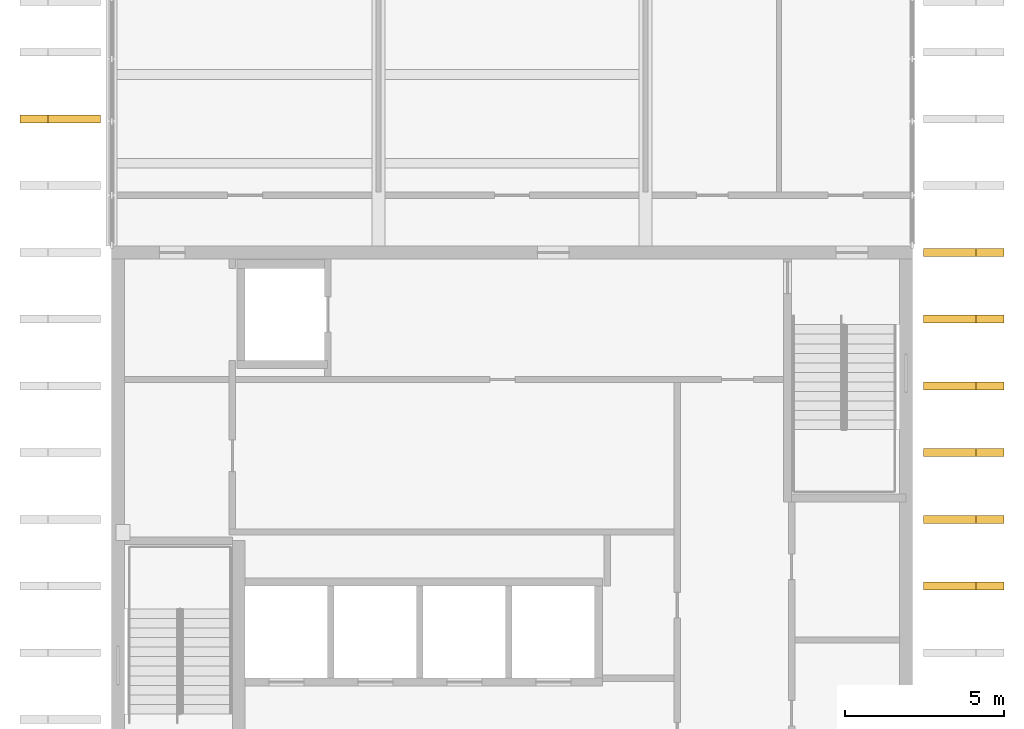
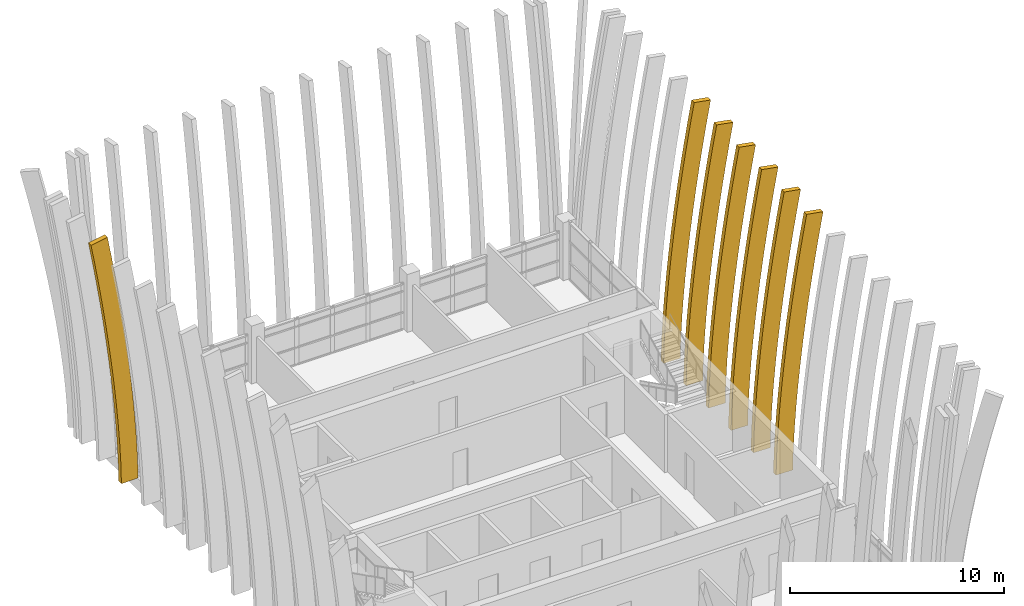
# One storey, part 14 of 19: 7 shading devices.
"""IFC4 building model written with IfcOpenShell, lengths in metres."""

from ifc_helpers import new_model, si_unit, direction, frame, origin, origin_2d, place, context, subcontext, project, spatial, rectangle, faceted_brep, material, material_profile, profile_set, type_object, element, save


model = new_model("IFC4")

# Units and contexts
model_context = context("Model", 3, precision=1e-05, world=origin(), true_north=direction((0.0, 1.0)))
body_context = subcontext(model_context, "Body", "Model", "MODEL_VIEW")
ifc_project = project(units=[si_unit("LENGTHUNIT", "METRE"), si_unit("AREAUNIT", "SQUARE_METRE"), si_unit("VOLUMEUNIT", "CUBIC_METRE"), si_unit("PLANEANGLEUNIT", "RADIAN"), si_unit("MASSUNIT", "GRAM", prefix="KILO")], contexts=[model_context])

# Site, building, storey
site_placement = place(None, origin())
site = spatial("IfcSite", under=ifc_project, at=site_placement, CompositionType="ELEMENT")
building_placement = place(site_placement, origin())
building = spatial("IfcBuilding", under=site, at=building_placement, Name="Rulbaag Community and Learning Centre", CompositionType="ELEMENT")
storey_placement = place(building_placement, frame((0.0, 0.0, 57.60009765625)))
storey = spatial("IfcBuildingStorey", under=building, at=storey_placement, Name="L15", CompositionType="ELEMENT", Elevation=57.60009765625)

# Shading devices
ifc_material = material(Name="Concrete M40", Category="concrete")
ifc_material_profile = material_profile(ifc_material, rectangle(XDim=0.25, YDim=0.89990234375, at=origin_2d()), Name="PC 250x900")
ifc_profile_set = profile_set([ifc_material_profile], Name="Concrete M40")
shading_device_type = type_object("IfcShadingDeviceType", Name="FIN-H", PredefinedType="JALOUSIE", material=ifc_profile_set)
shading_device_1_placement = place(storey_placement, frame((0.0, 0.0, -57.60009765625)))
element("IfcShadingDevice", 1, at=shading_device_1_placement, inside=storey, type_object=shading_device_type, Name="Precast crown fin", PredefinedType="JALOUSIE", context=body_context, shape_type="Brep", body=[
    faceted_brep([(141.550048828125, 113.27490234375, 57.587646484375), (141.550048828125, 113.52490234375, 57.587646484375), (142.449951171875, 113.52490234375, 57.611083984375), (142.449951171875, 113.27490234375, 57.611083984375), (140.80029296875, 113.27490234375, 71.898193359375), (140.80029296875, 113.52490234375, 71.898193359375), (139.91455078125, 113.52490234375, 71.738525390625), (139.91455078125, 113.27490234375, 71.738525390625), (142.419189453125, 113.52490234375, 58.790771484375), (142.419189453125, 113.27490234375, 58.790771484375), (141.519775390625, 113.52490234375, 58.755126953125), (141.519775390625, 113.27490234375, 58.755126953125), (142.356201171875, 113.52490234375, 59.983154296875), (142.356201171875, 113.27490234375, 59.983154296875), (141.457763671875, 113.52490234375, 59.927001953125), (141.457763671875, 113.27490234375, 59.927001953125), (142.2705078125, 113.52490234375, 61.1748046875), (142.2705078125, 113.27490234375, 61.1748046875), (141.37353515625, 113.52490234375, 61.10302734375), (141.37353515625, 113.27490234375, 61.10302734375), (142.16552734375, 113.52490234375, 62.36669921875), (142.16552734375, 113.27490234375, 62.36669921875), (141.26953125, 113.52490234375, 62.28125), (141.26953125, 113.27490234375, 62.28125), (142.04345703125, 113.52490234375, 63.558349609375), (142.04345703125, 113.27490234375, 63.558349609375), (141.14892578125, 113.52490234375, 63.460693359375), (141.14892578125, 113.27490234375, 63.460693359375), (141.90576171875, 113.52490234375, 64.75), (141.90576171875, 113.27490234375, 64.75), (141.01220703125, 113.52490234375, 64.64111328125), (141.01220703125, 113.27490234375, 64.64111328125), (141.75341796875, 113.52490234375, 65.941650390625), (141.75341796875, 113.27490234375, 65.941650390625), (140.861328125, 113.52490234375, 65.822509765625), (140.861328125, 113.27490234375, 65.822509765625), (141.58740234375, 113.52490234375, 67.13330078125), (141.58740234375, 113.27490234375, 67.13330078125), (140.69677734375, 113.52490234375, 67.00439453125), (140.69677734375, 113.27490234375, 67.00439453125), (141.40869140625, 113.52490234375, 68.324951171875), (141.40869140625, 113.27490234375, 68.324951171875), (140.51953125, 113.52490234375, 68.186767578125), (140.51953125, 113.27490234375, 68.186767578125), (141.21728515625, 113.52490234375, 69.5166015625), (141.21728515625, 113.27490234375, 69.5166015625), (140.32958984375, 113.52490234375, 69.36962890625), (140.32958984375, 113.27490234375, 69.36962890625), (141.0146484375, 113.52490234375, 70.708251953125), (141.0146484375, 113.27490234375, 70.708251953125), (140.1279296875, 113.52490234375, 70.552978515625), (140.1279296875, 113.27490234375, 70.552978515625)], [[[0, 1, 2, 3]], [[4, 5, 6, 7]], [[3, 2, 8, 9]], [[2, 1, 10, 8]], [[1, 0, 11, 10]], [[0, 3, 9, 11]], [[9, 8, 12, 13]], [[8, 10, 14, 12]], [[10, 11, 15, 14]], [[11, 9, 13, 15]], [[13, 12, 16, 17]], [[12, 14, 18, 16]], [[14, 15, 19, 18]], [[15, 13, 17, 19]], [[17, 16, 20, 21]], [[16, 18, 22, 20]], [[18, 19, 23, 22]], [[19, 17, 21, 23]], [[21, 20, 24, 25]], [[20, 22, 26, 24]], [[22, 23, 27, 26]], [[23, 21, 25, 27]], [[25, 24, 28, 29]], [[24, 26, 30, 28]], [[26, 27, 31, 30]], [[27, 25, 29, 31]], [[29, 28, 32, 33]], [[28, 30, 34, 32]], [[30, 31, 35, 34]], [[31, 29, 33, 35]], [[33, 32, 36, 37]], [[32, 34, 38, 36]], [[34, 35, 39, 38]], [[35, 33, 37, 39]], [[37, 36, 40, 41]], [[36, 38, 42, 40]], [[38, 39, 43, 42]], [[39, 37, 41, 43]], [[41, 40, 44, 45]], [[40, 42, 46, 44]], [[42, 43, 47, 46]], [[43, 41, 45, 47]], [[45, 44, 48, 49]], [[44, 46, 50, 48]], [[46, 47, 51, 50]], [[47, 45, 49, 51]], [[49, 48, 5, 4]], [[48, 50, 6, 5]], [[50, 51, 7, 6]], [[51, 49, 4, 7]]]),
])
shading_device_2_placement = place(storey_placement, frame((0.0, 0.0, -57.60009765625)))
element("IfcShadingDevice", 2, at=shading_device_2_placement, inside=storey, type_object=shading_device_type, Name="Precast crown fin", PredefinedType="JALOUSIE", context=body_context, shape_type="Brep", body=[
    faceted_brep([(169.25, 98.574951171875, 57.587646484375), (169.25, 98.824951171875, 57.587646484375), (168.35009765625, 98.824951171875, 57.611083984375), (168.35009765625, 98.574951171875, 57.611083984375), (169.99951171875, 98.574951171875, 71.89794921875), (169.99951171875, 98.824951171875, 71.89794921875), (170.88525390625, 98.824951171875, 71.73876953125), (170.88525390625, 98.574951171875, 71.73876953125), (168.380859375, 98.824951171875, 58.790771484375), (168.380859375, 98.574951171875, 58.790771484375), (169.2802734375, 98.824951171875, 58.755126953125), (169.2802734375, 98.574951171875, 58.755126953125), (168.44384765625, 98.824951171875, 59.983154296875), (168.44384765625, 98.574951171875, 59.983154296875), (169.34228515625, 98.824951171875, 59.927001953125), (169.34228515625, 98.574951171875, 59.927001953125), (168.529541015625, 98.824951171875, 61.1748046875), (168.529541015625, 98.574951171875, 61.1748046875), (169.426513671875, 98.824951171875, 61.10302734375), (169.426513671875, 98.574951171875, 61.10302734375), (168.634521484375, 98.824951171875, 62.36669921875), (168.634521484375, 98.574951171875, 62.36669921875), (169.530517578125, 98.824951171875, 62.28125), (169.530517578125, 98.574951171875, 62.28125), (168.756591796875, 98.824951171875, 63.558349609375), (168.756591796875, 98.574951171875, 63.558349609375), (169.651123046875, 98.824951171875, 63.460693359375), (169.651123046875, 98.574951171875, 63.460693359375), (168.894287109375, 98.824951171875, 64.75), (168.894287109375, 98.574951171875, 64.75), (169.787841796875, 98.824951171875, 64.64111328125), (169.787841796875, 98.574951171875, 64.64111328125), (169.046630859375, 98.824951171875, 65.941650390625), (169.046630859375, 98.574951171875, 65.941650390625), (169.938720703125, 98.824951171875, 65.822509765625), (169.938720703125, 98.574951171875, 65.822509765625), (169.21240234375, 98.824951171875, 67.13330078125), (169.21240234375, 98.574951171875, 67.13330078125), (170.10302734375, 98.824951171875, 67.00439453125), (170.10302734375, 98.574951171875, 67.00439453125), (169.391357421875, 98.824951171875, 68.324951171875), (169.391357421875, 98.574951171875, 68.324951171875), (170.280517578125, 98.824951171875, 68.186767578125), (170.280517578125, 98.574951171875, 68.186767578125), (169.582763671875, 98.824951171875, 69.5166015625), (169.582763671875, 98.574951171875, 69.5166015625), (170.470458984375, 98.824951171875, 69.36962890625), (170.470458984375, 98.574951171875, 69.36962890625), (169.785400390625, 98.824951171875, 70.708251953125), (169.785400390625, 98.574951171875, 70.708251953125), (170.672119140625, 98.824951171875, 70.552978515625), (170.672119140625, 98.574951171875, 70.552978515625)], [[[0, 1, 2, 3]], [[4, 5, 6, 7]], [[3, 2, 8, 9]], [[2, 1, 10, 8]], [[1, 0, 11, 10]], [[0, 3, 9, 11]], [[9, 8, 12, 13]], [[8, 10, 14, 12]], [[10, 11, 15, 14]], [[11, 9, 13, 15]], [[13, 12, 16, 17]], [[12, 14, 18, 16]], [[14, 15, 19, 18]], [[15, 13, 17, 19]], [[17, 16, 20, 21]], [[16, 18, 22, 20]], [[18, 19, 23, 22]], [[19, 17, 21, 23]], [[21, 20, 24, 25]], [[20, 22, 26, 24]], [[22, 23, 27, 26]], [[23, 21, 25, 27]], [[25, 24, 28, 29]], [[24, 26, 30, 28]], [[26, 27, 31, 30]], [[27, 25, 29, 31]], [[29, 28, 32, 33]], [[28, 30, 34, 32]], [[30, 31, 35, 34]], [[31, 29, 33, 35]], [[33, 32, 36, 37]], [[32, 34, 38, 36]], [[34, 35, 39, 38]], [[35, 33, 37, 39]], [[37, 36, 40, 41]], [[36, 38, 42, 40]], [[38, 39, 43, 42]], [[39, 37, 41, 43]], [[41, 40, 44, 45]], [[40, 42, 46, 44]], [[42, 43, 47, 46]], [[43, 41, 45, 47]], [[45, 44, 48, 49]], [[44, 46, 50, 48]], [[46, 47, 51, 50]], [[47, 45, 49, 51]], [[49, 48, 5, 4]], [[48, 50, 6, 5]], [[50, 51, 7, 6]], [[51, 49, 4, 7]]]),
])
shading_device_3_placement = place(storey_placement, frame((0.0, 0.0, -57.60009765625)))
element("IfcShadingDevice", 3, at=shading_device_3_placement, inside=storey, type_object=shading_device_type, Name="Precast crown fin", PredefinedType="JALOUSIE", context=body_context, shape_type="Brep", body=[
    faceted_brep([(169.25, 100.675048828125, 57.587646484375), (169.25, 100.925048828125, 57.587646484375), (168.35009765625, 100.925048828125, 57.611083984375), (168.35009765625, 100.675048828125, 57.611083984375), (169.99951171875, 100.675048828125, 71.89794921875), (169.99951171875, 100.925048828125, 71.89794921875), (170.88525390625, 100.925048828125, 71.73876953125), (170.88525390625, 100.675048828125, 71.73876953125), (168.380859375, 100.925048828125, 58.790771484375), (168.380859375, 100.675048828125, 58.790771484375), (169.2802734375, 100.925048828125, 58.755126953125), (169.2802734375, 100.675048828125, 58.755126953125), (168.44384765625, 100.925048828125, 59.983154296875), (168.44384765625, 100.675048828125, 59.983154296875), (169.34228515625, 100.925048828125, 59.927001953125), (169.34228515625, 100.675048828125, 59.927001953125), (168.529541015625, 100.925048828125, 61.1748046875), (168.529541015625, 100.675048828125, 61.1748046875), (169.426513671875, 100.925048828125, 61.10302734375), (169.426513671875, 100.675048828125, 61.10302734375), (168.634521484375, 100.925048828125, 62.36669921875), (168.634521484375, 100.675048828125, 62.36669921875), (169.530517578125, 100.925048828125, 62.28125), (169.530517578125, 100.675048828125, 62.28125), (168.756591796875, 100.925048828125, 63.558349609375), (168.756591796875, 100.675048828125, 63.558349609375), (169.651123046875, 100.925048828125, 63.460693359375), (169.651123046875, 100.675048828125, 63.460693359375), (168.894287109375, 100.925048828125, 64.75), (168.894287109375, 100.675048828125, 64.75), (169.787841796875, 100.925048828125, 64.64111328125), (169.787841796875, 100.675048828125, 64.64111328125), (169.046630859375, 100.925048828125, 65.941650390625), (169.046630859375, 100.675048828125, 65.941650390625), (169.938720703125, 100.925048828125, 65.822509765625), (169.938720703125, 100.675048828125, 65.822509765625), (169.21240234375, 100.925048828125, 67.13330078125), (169.21240234375, 100.675048828125, 67.13330078125), (170.10302734375, 100.925048828125, 67.00439453125), (170.10302734375, 100.675048828125, 67.00439453125), (169.391357421875, 100.925048828125, 68.324951171875), (169.391357421875, 100.675048828125, 68.324951171875), (170.280517578125, 100.925048828125, 68.186767578125), (170.280517578125, 100.675048828125, 68.186767578125), (169.582763671875, 100.925048828125, 69.5166015625), (169.582763671875, 100.675048828125, 69.5166015625), (170.470458984375, 100.925048828125, 69.36962890625), (170.470458984375, 100.675048828125, 69.36962890625), (169.785400390625, 100.925048828125, 70.708251953125), (169.785400390625, 100.675048828125, 70.708251953125), (170.672119140625, 100.925048828125, 70.552978515625), (170.672119140625, 100.675048828125, 70.552978515625)], [[[0, 1, 2, 3]], [[4, 5, 6, 7]], [[3, 2, 8, 9]], [[2, 1, 10, 8]], [[1, 0, 11, 10]], [[0, 3, 9, 11]], [[9, 8, 12, 13]], [[8, 10, 14, 12]], [[10, 11, 15, 14]], [[11, 9, 13, 15]], [[13, 12, 16, 17]], [[12, 14, 18, 16]], [[14, 15, 19, 18]], [[15, 13, 17, 19]], [[17, 16, 20, 21]], [[16, 18, 22, 20]], [[18, 19, 23, 22]], [[19, 17, 21, 23]], [[21, 20, 24, 25]], [[20, 22, 26, 24]], [[22, 23, 27, 26]], [[23, 21, 25, 27]], [[25, 24, 28, 29]], [[24, 26, 30, 28]], [[26, 27, 31, 30]], [[27, 25, 29, 31]], [[29, 28, 32, 33]], [[28, 30, 34, 32]], [[30, 31, 35, 34]], [[31, 29, 33, 35]], [[33, 32, 36, 37]], [[32, 34, 38, 36]], [[34, 35, 39, 38]], [[35, 33, 37, 39]], [[37, 36, 40, 41]], [[36, 38, 42, 40]], [[38, 39, 43, 42]], [[39, 37, 41, 43]], [[41, 40, 44, 45]], [[40, 42, 46, 44]], [[42, 43, 47, 46]], [[43, 41, 45, 47]], [[45, 44, 48, 49]], [[44, 46, 50, 48]], [[46, 47, 51, 50]], [[47, 45, 49, 51]], [[49, 48, 5, 4]], [[48, 50, 6, 5]], [[50, 51, 7, 6]], [[51, 49, 4, 7]]]),
])
shading_device_4_placement = place(storey_placement, frame((0.0, 0.0, -57.60009765625)))
element("IfcShadingDevice", 4, at=shading_device_4_placement, inside=storey, type_object=shading_device_type, Name="Precast crown fin", PredefinedType="JALOUSIE", context=body_context, shape_type="Brep", body=[
    faceted_brep([(169.25, 102.77490234375, 57.587646484375), (169.25, 103.02490234375, 57.587646484375), (168.35009765625, 103.02490234375, 57.611083984375), (168.35009765625, 102.77490234375, 57.611083984375), (169.99951171875, 102.77490234375, 71.89794921875), (169.99951171875, 103.02490234375, 71.89794921875), (170.88525390625, 103.02490234375, 71.73876953125), (170.88525390625, 102.77490234375, 71.73876953125), (168.380859375, 103.02490234375, 58.790771484375), (168.380859375, 102.77490234375, 58.790771484375), (169.2802734375, 103.02490234375, 58.755126953125), (169.2802734375, 102.77490234375, 58.755126953125), (168.44384765625, 103.02490234375, 59.983154296875), (168.44384765625, 102.77490234375, 59.983154296875), (169.34228515625, 103.02490234375, 59.927001953125), (169.34228515625, 102.77490234375, 59.927001953125), (168.529541015625, 103.02490234375, 61.1748046875), (168.529541015625, 102.77490234375, 61.1748046875), (169.426513671875, 103.02490234375, 61.10302734375), (169.426513671875, 102.77490234375, 61.10302734375), (168.634521484375, 103.02490234375, 62.36669921875), (168.634521484375, 102.77490234375, 62.36669921875), (169.530517578125, 103.02490234375, 62.28125), (169.530517578125, 102.77490234375, 62.28125), (168.756591796875, 103.02490234375, 63.558349609375), (168.756591796875, 102.77490234375, 63.558349609375), (169.651123046875, 103.02490234375, 63.460693359375), (169.651123046875, 102.77490234375, 63.460693359375), (168.894287109375, 103.02490234375, 64.75), (168.894287109375, 102.77490234375, 64.75), (169.787841796875, 103.02490234375, 64.64111328125), (169.787841796875, 102.77490234375, 64.64111328125), (169.046630859375, 103.02490234375, 65.941650390625), (169.046630859375, 102.77490234375, 65.941650390625), (169.938720703125, 103.02490234375, 65.822509765625), (169.938720703125, 102.77490234375, 65.822509765625), (169.21240234375, 103.02490234375, 67.13330078125), (169.21240234375, 102.77490234375, 67.13330078125), (170.10302734375, 103.02490234375, 67.00439453125), (170.10302734375, 102.77490234375, 67.00439453125), (169.391357421875, 103.02490234375, 68.324951171875), (169.391357421875, 102.77490234375, 68.324951171875), (170.280517578125, 103.02490234375, 68.186767578125), (170.280517578125, 102.77490234375, 68.186767578125), (169.582763671875, 103.02490234375, 69.5166015625), (169.582763671875, 102.77490234375, 69.5166015625), (170.470458984375, 103.02490234375, 69.36962890625), (170.470458984375, 102.77490234375, 69.36962890625), (169.785400390625, 103.02490234375, 70.708251953125), (169.785400390625, 102.77490234375, 70.708251953125), (170.672119140625, 103.02490234375, 70.552978515625), (170.672119140625, 102.77490234375, 70.552978515625)], [[[0, 1, 2, 3]], [[4, 5, 6, 7]], [[3, 2, 8, 9]], [[2, 1, 10, 8]], [[1, 0, 11, 10]], [[0, 3, 9, 11]], [[9, 8, 12, 13]], [[8, 10, 14, 12]], [[10, 11, 15, 14]], [[11, 9, 13, 15]], [[13, 12, 16, 17]], [[12, 14, 18, 16]], [[14, 15, 19, 18]], [[15, 13, 17, 19]], [[17, 16, 20, 21]], [[16, 18, 22, 20]], [[18, 19, 23, 22]], [[19, 17, 21, 23]], [[21, 20, 24, 25]], [[20, 22, 26, 24]], [[22, 23, 27, 26]], [[23, 21, 25, 27]], [[25, 24, 28, 29]], [[24, 26, 30, 28]], [[26, 27, 31, 30]], [[27, 25, 29, 31]], [[29, 28, 32, 33]], [[28, 30, 34, 32]], [[30, 31, 35, 34]], [[31, 29, 33, 35]], [[33, 32, 36, 37]], [[32, 34, 38, 36]], [[34, 35, 39, 38]], [[35, 33, 37, 39]], [[37, 36, 40, 41]], [[36, 38, 42, 40]], [[38, 39, 43, 42]], [[39, 37, 41, 43]], [[41, 40, 44, 45]], [[40, 42, 46, 44]], [[42, 43, 47, 46]], [[43, 41, 45, 47]], [[45, 44, 48, 49]], [[44, 46, 50, 48]], [[46, 47, 51, 50]], [[47, 45, 49, 51]], [[49, 48, 5, 4]], [[48, 50, 6, 5]], [[50, 51, 7, 6]], [[51, 49, 4, 7]]]),
])
shading_device_5_placement = place(storey_placement, frame((0.0, 0.0, -57.60009765625)))
element("IfcShadingDevice", 5, at=shading_device_5_placement, inside=storey, type_object=shading_device_type, Name="Precast crown fin", PredefinedType="JALOUSIE", context=body_context, shape_type="Brep", body=[
    faceted_brep([(169.25, 104.875, 57.587646484375), (169.25, 105.125, 57.587646484375), (168.35009765625, 105.125, 57.611083984375), (168.35009765625, 104.875, 57.611083984375), (169.99951171875, 104.875, 71.89794921875), (169.99951171875, 105.125, 71.89794921875), (170.88525390625, 105.125, 71.73876953125), (170.88525390625, 104.875, 71.73876953125), (168.380859375, 105.125, 58.790771484375), (168.380859375, 104.875, 58.790771484375), (169.2802734375, 105.125, 58.755126953125), (169.2802734375, 104.875, 58.755126953125), (168.44384765625, 105.125, 59.983154296875), (168.44384765625, 104.875, 59.983154296875), (169.34228515625, 105.125, 59.927001953125), (169.34228515625, 104.875, 59.927001953125), (168.529541015625, 105.125, 61.1748046875), (168.529541015625, 104.875, 61.1748046875), (169.426513671875, 105.125, 61.10302734375), (169.426513671875, 104.875, 61.10302734375), (168.634521484375, 105.125, 62.36669921875), (168.634521484375, 104.875, 62.36669921875), (169.530517578125, 105.125, 62.28125), (169.530517578125, 104.875, 62.28125), (168.756591796875, 105.125, 63.558349609375), (168.756591796875, 104.875, 63.558349609375), (169.651123046875, 105.125, 63.460693359375), (169.651123046875, 104.875, 63.460693359375), (168.894287109375, 105.125, 64.75), (168.894287109375, 104.875, 64.75), (169.787841796875, 105.125, 64.64111328125), (169.787841796875, 104.875, 64.64111328125), (169.046630859375, 105.125, 65.941650390625), (169.046630859375, 104.875, 65.941650390625), (169.938720703125, 105.125, 65.822509765625), (169.938720703125, 104.875, 65.822509765625), (169.21240234375, 105.125, 67.13330078125), (169.21240234375, 104.875, 67.13330078125), (170.10302734375, 105.125, 67.00439453125), (170.10302734375, 104.875, 67.00439453125), (169.391357421875, 105.125, 68.324951171875), (169.391357421875, 104.875, 68.324951171875), (170.280517578125, 105.125, 68.186767578125), (170.280517578125, 104.875, 68.186767578125), (169.582763671875, 105.125, 69.5166015625), (169.582763671875, 104.875, 69.5166015625), (170.470458984375, 105.125, 69.36962890625), (170.470458984375, 104.875, 69.36962890625), (169.785400390625, 105.125, 70.708251953125), (169.785400390625, 104.875, 70.708251953125), (170.672119140625, 105.125, 70.552978515625), (170.672119140625, 104.875, 70.552978515625)], [[[0, 1, 2, 3]], [[4, 5, 6, 7]], [[3, 2, 8, 9]], [[2, 1, 10, 8]], [[1, 0, 11, 10]], [[0, 3, 9, 11]], [[9, 8, 12, 13]], [[8, 10, 14, 12]], [[10, 11, 15, 14]], [[11, 9, 13, 15]], [[13, 12, 16, 17]], [[12, 14, 18, 16]], [[14, 15, 19, 18]], [[15, 13, 17, 19]], [[17, 16, 20, 21]], [[16, 18, 22, 20]], [[18, 19, 23, 22]], [[19, 17, 21, 23]], [[21, 20, 24, 25]], [[20, 22, 26, 24]], [[22, 23, 27, 26]], [[23, 21, 25, 27]], [[25, 24, 28, 29]], [[24, 26, 30, 28]], [[26, 27, 31, 30]], [[27, 25, 29, 31]], [[29, 28, 32, 33]], [[28, 30, 34, 32]], [[30, 31, 35, 34]], [[31, 29, 33, 35]], [[33, 32, 36, 37]], [[32, 34, 38, 36]], [[34, 35, 39, 38]], [[35, 33, 37, 39]], [[37, 36, 40, 41]], [[36, 38, 42, 40]], [[38, 39, 43, 42]], [[39, 37, 41, 43]], [[41, 40, 44, 45]], [[40, 42, 46, 44]], [[42, 43, 47, 46]], [[43, 41, 45, 47]], [[45, 44, 48, 49]], [[44, 46, 50, 48]], [[46, 47, 51, 50]], [[47, 45, 49, 51]], [[49, 48, 5, 4]], [[48, 50, 6, 5]], [[50, 51, 7, 6]], [[51, 49, 4, 7]]]),
])
shading_device_6_placement = place(storey_placement, frame((0.0, 0.0, -57.60009765625)))
element("IfcShadingDevice", 6, at=shading_device_6_placement, inside=storey, type_object=shading_device_type, Name="Precast crown fin", PredefinedType="JALOUSIE", context=body_context, shape_type="Brep", body=[
    faceted_brep([(169.25, 106.97509765625, 57.587646484375), (169.25, 107.22509765625, 57.587646484375), (168.35009765625, 107.22509765625, 57.611083984375), (168.35009765625, 106.97509765625, 57.611083984375), (169.99951171875, 106.97509765625, 71.89794921875), (169.99951171875, 107.22509765625, 71.89794921875), (170.88525390625, 107.22509765625, 71.73876953125), (170.88525390625, 106.97509765625, 71.73876953125), (168.380859375, 107.22509765625, 58.790771484375), (168.380859375, 106.97509765625, 58.790771484375), (169.2802734375, 107.22509765625, 58.755126953125), (169.2802734375, 106.97509765625, 58.755126953125), (168.44384765625, 107.22509765625, 59.983154296875), (168.44384765625, 106.97509765625, 59.983154296875), (169.34228515625, 107.22509765625, 59.927001953125), (169.34228515625, 106.97509765625, 59.927001953125), (168.529541015625, 107.22509765625, 61.1748046875), (168.529541015625, 106.97509765625, 61.1748046875), (169.426513671875, 107.22509765625, 61.10302734375), (169.426513671875, 106.97509765625, 61.10302734375), (168.634521484375, 107.22509765625, 62.36669921875), (168.634521484375, 106.97509765625, 62.36669921875), (169.530517578125, 107.22509765625, 62.28125), (169.530517578125, 106.97509765625, 62.28125), (168.756591796875, 107.22509765625, 63.558349609375), (168.756591796875, 106.97509765625, 63.558349609375), (169.651123046875, 107.22509765625, 63.460693359375), (169.651123046875, 106.97509765625, 63.460693359375), (168.894287109375, 107.22509765625, 64.75), (168.894287109375, 106.97509765625, 64.75), (169.787841796875, 107.22509765625, 64.64111328125), (169.787841796875, 106.97509765625, 64.64111328125), (169.046630859375, 107.22509765625, 65.941650390625), (169.046630859375, 106.97509765625, 65.941650390625), (169.938720703125, 107.22509765625, 65.822509765625), (169.938720703125, 106.97509765625, 65.822509765625), (169.21240234375, 107.22509765625, 67.13330078125), (169.21240234375, 106.97509765625, 67.13330078125), (170.10302734375, 107.22509765625, 67.00439453125), (170.10302734375, 106.97509765625, 67.00439453125), (169.391357421875, 107.22509765625, 68.324951171875), (169.391357421875, 106.97509765625, 68.324951171875), (170.280517578125, 107.22509765625, 68.186767578125), (170.280517578125, 106.97509765625, 68.186767578125), (169.582763671875, 107.22509765625, 69.5166015625), (169.582763671875, 106.97509765625, 69.5166015625), (170.470458984375, 107.22509765625, 69.36962890625), (170.470458984375, 106.97509765625, 69.36962890625), (169.785400390625, 107.22509765625, 70.708251953125), (169.785400390625, 106.97509765625, 70.708251953125), (170.672119140625, 107.22509765625, 70.552978515625), (170.672119140625, 106.97509765625, 70.552978515625)], [[[0, 1, 2, 3]], [[4, 5, 6, 7]], [[3, 2, 8, 9]], [[2, 1, 10, 8]], [[1, 0, 11, 10]], [[0, 3, 9, 11]], [[9, 8, 12, 13]], [[8, 10, 14, 12]], [[10, 11, 15, 14]], [[11, 9, 13, 15]], [[13, 12, 16, 17]], [[12, 14, 18, 16]], [[14, 15, 19, 18]], [[15, 13, 17, 19]], [[17, 16, 20, 21]], [[16, 18, 22, 20]], [[18, 19, 23, 22]], [[19, 17, 21, 23]], [[21, 20, 24, 25]], [[20, 22, 26, 24]], [[22, 23, 27, 26]], [[23, 21, 25, 27]], [[25, 24, 28, 29]], [[24, 26, 30, 28]], [[26, 27, 31, 30]], [[27, 25, 29, 31]], [[29, 28, 32, 33]], [[28, 30, 34, 32]], [[30, 31, 35, 34]], [[31, 29, 33, 35]], [[33, 32, 36, 37]], [[32, 34, 38, 36]], [[34, 35, 39, 38]], [[35, 33, 37, 39]], [[37, 36, 40, 41]], [[36, 38, 42, 40]], [[38, 39, 43, 42]], [[39, 37, 41, 43]], [[41, 40, 44, 45]], [[40, 42, 46, 44]], [[42, 43, 47, 46]], [[43, 41, 45, 47]], [[45, 44, 48, 49]], [[44, 46, 50, 48]], [[46, 47, 51, 50]], [[47, 45, 49, 51]], [[49, 48, 5, 4]], [[48, 50, 6, 5]], [[50, 51, 7, 6]], [[51, 49, 4, 7]]]),
])
shading_device_7_placement = place(storey_placement, frame((0.0, 0.0, -57.60009765625)))
element("IfcShadingDevice", 7, at=shading_device_7_placement, inside=storey, type_object=shading_device_type, Name="Precast crown fin", PredefinedType="JALOUSIE", context=body_context, shape_type="Brep", body=[
    faceted_brep([(169.25, 109.074951171875, 57.587646484375), (169.25, 109.324951171875, 57.587646484375), (168.35009765625, 109.324951171875, 57.611083984375), (168.35009765625, 109.074951171875, 57.611083984375), (169.99951171875, 109.074951171875, 71.89794921875), (169.99951171875, 109.324951171875, 71.89794921875), (170.88525390625, 109.324951171875, 71.73876953125), (170.88525390625, 109.074951171875, 71.73876953125), (168.380859375, 109.324951171875, 58.790771484375), (168.380859375, 109.074951171875, 58.790771484375), (169.2802734375, 109.324951171875, 58.755126953125), (169.2802734375, 109.074951171875, 58.755126953125), (168.44384765625, 109.324951171875, 59.983154296875), (168.44384765625, 109.074951171875, 59.983154296875), (169.34228515625, 109.324951171875, 59.927001953125), (169.34228515625, 109.074951171875, 59.927001953125), (168.529541015625, 109.324951171875, 61.1748046875), (168.529541015625, 109.074951171875, 61.1748046875), (169.426513671875, 109.324951171875, 61.10302734375), (169.426513671875, 109.074951171875, 61.10302734375), (168.634521484375, 109.324951171875, 62.36669921875), (168.634521484375, 109.074951171875, 62.36669921875), (169.530517578125, 109.324951171875, 62.28125), (169.530517578125, 109.074951171875, 62.28125), (168.756591796875, 109.324951171875, 63.558349609375), (168.756591796875, 109.074951171875, 63.558349609375), (169.651123046875, 109.324951171875, 63.460693359375), (169.651123046875, 109.074951171875, 63.460693359375), (168.894287109375, 109.324951171875, 64.75), (168.894287109375, 109.074951171875, 64.75), (169.787841796875, 109.324951171875, 64.64111328125), (169.787841796875, 109.074951171875, 64.64111328125), (169.046630859375, 109.324951171875, 65.941650390625), (169.046630859375, 109.074951171875, 65.941650390625), (169.938720703125, 109.324951171875, 65.822509765625), (169.938720703125, 109.074951171875, 65.822509765625), (169.21240234375, 109.324951171875, 67.13330078125), (169.21240234375, 109.074951171875, 67.13330078125), (170.10302734375, 109.324951171875, 67.00439453125), (170.10302734375, 109.074951171875, 67.00439453125), (169.391357421875, 109.324951171875, 68.324951171875), (169.391357421875, 109.074951171875, 68.324951171875), (170.280517578125, 109.324951171875, 68.186767578125), (170.280517578125, 109.074951171875, 68.186767578125), (169.582763671875, 109.324951171875, 69.5166015625), (169.582763671875, 109.074951171875, 69.5166015625), (170.470458984375, 109.324951171875, 69.36962890625), (170.470458984375, 109.074951171875, 69.36962890625), (169.785400390625, 109.324951171875, 70.708251953125), (169.785400390625, 109.074951171875, 70.708251953125), (170.672119140625, 109.324951171875, 70.552978515625), (170.672119140625, 109.074951171875, 70.552978515625)], [[[0, 1, 2, 3]], [[4, 5, 6, 7]], [[3, 2, 8, 9]], [[2, 1, 10, 8]], [[1, 0, 11, 10]], [[0, 3, 9, 11]], [[9, 8, 12, 13]], [[8, 10, 14, 12]], [[10, 11, 15, 14]], [[11, 9, 13, 15]], [[13, 12, 16, 17]], [[12, 14, 18, 16]], [[14, 15, 19, 18]], [[15, 13, 17, 19]], [[17, 16, 20, 21]], [[16, 18, 22, 20]], [[18, 19, 23, 22]], [[19, 17, 21, 23]], [[21, 20, 24, 25]], [[20, 22, 26, 24]], [[22, 23, 27, 26]], [[23, 21, 25, 27]], [[25, 24, 28, 29]], [[24, 26, 30, 28]], [[26, 27, 31, 30]], [[27, 25, 29, 31]], [[29, 28, 32, 33]], [[28, 30, 34, 32]], [[30, 31, 35, 34]], [[31, 29, 33, 35]], [[33, 32, 36, 37]], [[32, 34, 38, 36]], [[34, 35, 39, 38]], [[35, 33, 37, 39]], [[37, 36, 40, 41]], [[36, 38, 42, 40]], [[38, 39, 43, 42]], [[39, 37, 41, 43]], [[41, 40, 44, 45]], [[40, 42, 46, 44]], [[42, 43, 47, 46]], [[43, 41, 45, 47]], [[45, 44, 48, 49]], [[44, 46, 50, 48]], [[46, 47, 51, 50]], [[47, 45, 49, 51]], [[49, 48, 5, 4]], [[48, 50, 6, 5]], [[50, 51, 7, 6]], [[51, 49, 4, 7]]]),
])

save(model, "model.ifc")
